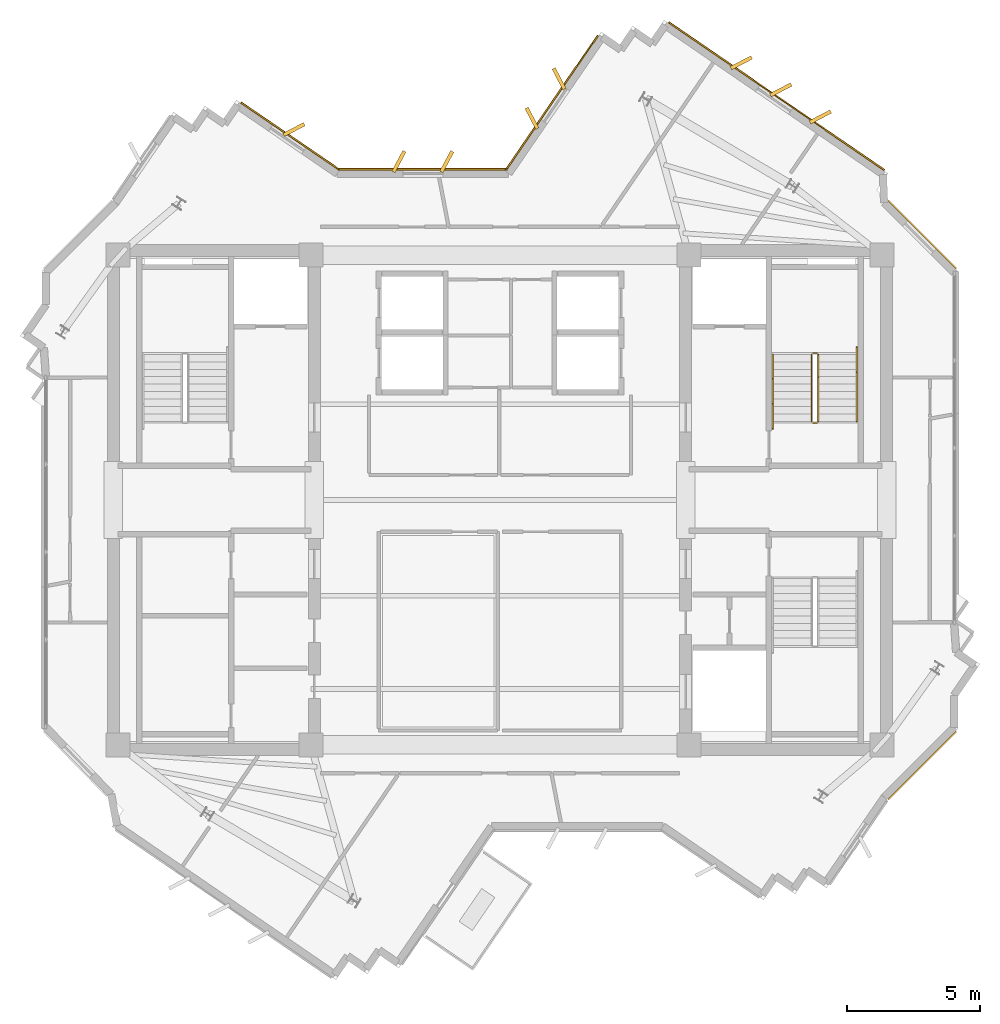
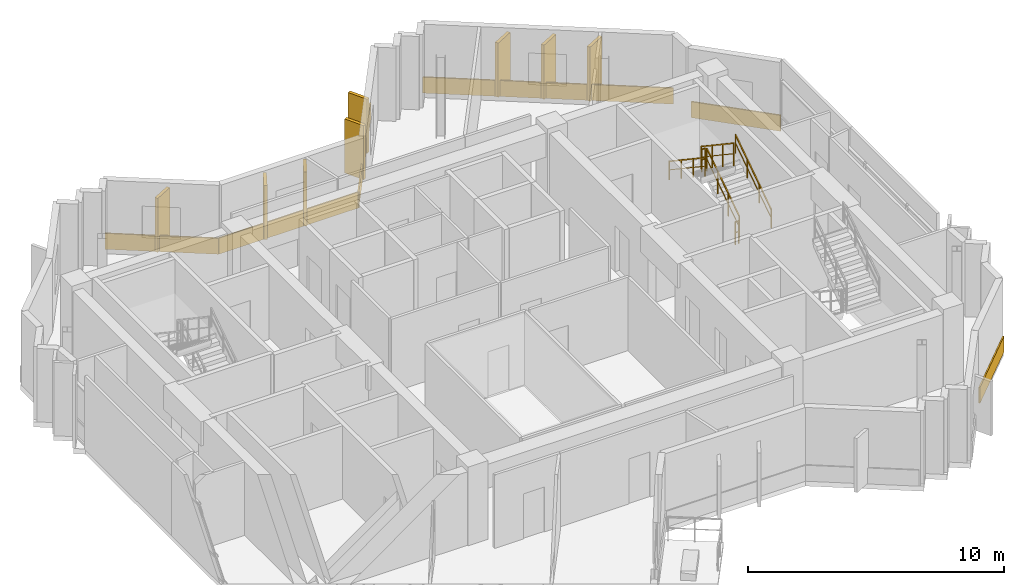
# One storey, part 11 of 11: 14 coverings, 6 railings.
"""IFC4 building model written with IfcOpenShell, lengths in metres."""

from ifc_helpers import new_model, si_unit, direction, frame, origin, origin_2d, place, context, subcontext, project, spatial, rectangle, extrude, source, transform, mapped, material, layer, layer_set, type_object, element, save


model = new_model("IFC4")

# Units and contexts
model_context = context("Model", 3, precision=1e-05, world=origin(), true_north=direction((0.0, 1.0)))
body_context = subcontext(model_context, "Body", "Model", "MODEL_VIEW")
ifc_project = project(units=[si_unit("LENGTHUNIT", "METRE"), si_unit("AREAUNIT", "SQUARE_METRE"), si_unit("VOLUMEUNIT", "CUBIC_METRE"), si_unit("PLANEANGLEUNIT", "RADIAN"), si_unit("MASSUNIT", "GRAM", prefix="KILO")], contexts=[model_context])

# Site, building, storey
site_placement = place(None, origin())
site = spatial("IfcSite", under=ifc_project, at=site_placement, CompositionType="ELEMENT")
building_placement = place(site_placement, origin())
building = spatial("IfcBuilding", under=site, at=building_placement, Name="Zahravan Cultural Tower", CompositionType="ELEMENT")
storey_placement = place(building_placement, frame((0.0, 0.0, 338.550048828125)))
storey = spatial("IfcBuildingStorey", under=building, at=storey_placement, Name="L82", CompositionType="ELEMENT", Elevation=338.550048828125)

# Railings
ifc_material_1 = material(Name="Steel ASTM A572 Grade 50", Category="steel")
railing_type_1 = type_object("IfcRailingType", Name="RL-STAIR-GRD1150", PredefinedType="BALUSTRADE", material=ifc_material_1)
railing_1_placement = place(storey_placement, frame((47.949951171875, 29.949951171875, 0.1875)))
element("IfcRailing", 1, at=railing_1_placement, inside=storey, type_object=railing_type_1, Name="L82 ST-E1 stair guard 1", PredefinedType="BALUSTRADE", context=body_context, shape_type="SweptSolid", body=[
    extrude(rectangle(XDim=0.05, YDim=0.05, at=origin_2d()), frame((0.0, 0.0, 1.0751953125), z_axis=(0.0, 0.830909170722, 0.55640807867), x_axis=(-1.0, 0.0, 0.0)), (0.0, 0.0, 1.0), 3.032958984375),
    extrude(rectangle(XDim=0.032, YDim=0.032, at=origin_2d()), frame((0.0, 0.0, 0.572021484375), z_axis=(0.0, 0.830909170722, 0.55640807867), x_axis=(-1.0, 0.0, 0.0)), (0.0, 0.0, 1.0), 3.032958984375),
    extrude(rectangle(XDim=0.04, YDim=0.04, at=origin_2d()), origin(), (0.0, 0.0, 1.0), 1.10009765625),
    extrude(rectangle(XDim=0.04, YDim=0.04, at=origin_2d()), frame((0.0, 0.840087890625, 0.5625)), (0.0, 0.0, 1.0), 1.10009765625),
    extrude(rectangle(XDim=0.04, YDim=0.04, at=origin_2d()), frame((0.0, 1.679931640625, 1.125)), (0.0, 0.0, 1.0), 1.10009765625),
    extrude(rectangle(XDim=0.04, YDim=0.04, at=origin_2d()), frame((0.0, 2.52001953125, 1.6875)), (0.0, 0.0, 1.0), 1.10009765625),
])
railing_2_placement = place(storey_placement, frame((47.89990234375, 32.52001953125, 1.875)))
element("IfcRailing", 2, at=railing_2_placement, inside=storey, type_object=railing_type_1, Name="L82 ST-E1 stair guard 2", PredefinedType="BALUSTRADE", context=body_context, shape_type="SweptSolid", body=[
    extrude(rectangle(XDim=0.05, YDim=0.05, at=origin_2d()), frame((0.0, 0.0, 1.0751953125), z_axis=(-1.0, 0.0, 0.0), x_axis=(0.0, -1.0, 0.0)), (0.0, 0.0, 1.0), 0.14990234375),
    extrude(rectangle(XDim=0.032, YDim=0.032, at=origin_2d()), frame((0.0, 0.0, 0.572021484375), z_axis=(-1.0, 0.0, 0.0), x_axis=(0.0, -1.0, 0.0)), (0.0, 0.0, 1.0), 0.14990234375),
    extrude(rectangle(XDim=0.04, YDim=0.04, at=origin_2d()), origin(), (0.0, 0.0, 1.0), 1.10009765625),
    extrude(rectangle(XDim=0.04, YDim=0.04, at=origin_2d()), frame((-0.14990234375, 0.0, 0.0)), (0.0, 0.0, 1.0), 1.10009765625),
])
railing_3_placement = place(storey_placement, frame((47.699951171875, 32.469970703125, 2.0625)))
element("IfcRailing", 3, at=railing_3_placement, inside=storey, type_object=railing_type_1, Name="L82 ST-E1 stair guard 3", PredefinedType="BALUSTRADE", context=body_context, shape_type="SweptSolid", body=[
    extrude(rectangle(XDim=0.05, YDim=0.05, at=origin_2d()), frame((0.0, 0.0, 1.0751953125), z_axis=(0.0, -0.830909170722, 0.55640807867), x_axis=(1.0, 0.0, 0.0)), (0.0, 0.0, 1.0), 3.032958984375),
    extrude(rectangle(XDim=0.032, YDim=0.032, at=origin_2d()), frame((0.0, 0.0, 0.572021484375), z_axis=(0.0, -0.830909170722, 0.55640807867), x_axis=(1.0, 0.0, 0.0)), (0.0, 0.0, 1.0), 3.032958984375),
    extrude(rectangle(XDim=0.04, YDim=0.04, at=origin_2d()), origin(), (0.0, 0.0, 1.0), 1.10009765625),
    extrude(rectangle(XDim=0.04, YDim=0.04, at=origin_2d()), frame((0.0, -0.840087890625, 0.5625)), (0.0, 0.0, 1.0), 1.10009765625),
    extrude(rectangle(XDim=0.04, YDim=0.04, at=origin_2d()), frame((0.0, -1.679931640625, 1.125)), (0.0, 0.0, 1.0), 1.10009765625),
    extrude(rectangle(XDim=0.04, YDim=0.04, at=origin_2d()), frame((0.0, -2.52001953125, 1.6875)), (0.0, 0.0, 1.0), 1.10009765625),
])
railing_4_placement = place(storey_placement, frame((47.89990234375, 29.89990234375, 0.0)))
element("IfcRailing", 4, at=railing_4_placement, inside=storey, type_object=railing_type_1, Name="L82 ST-E1 stair guard 4", PredefinedType="BALUSTRADE", context=body_context, shape_type="SweptSolid", body=[
    extrude(rectangle(XDim=0.05, YDim=0.05, at=origin_2d()), frame((0.0, 0.0, 1.0751953125), z_axis=(-1.0, 0.0, 0.0), x_axis=(0.0, -1.0, 0.0)), (0.0, 0.0, 1.0), 0.14990234375),
    extrude(rectangle(XDim=0.032, YDim=0.032, at=origin_2d()), frame((0.0, 0.0, 0.572021484375), z_axis=(-1.0, 0.0, 0.0), x_axis=(0.0, -1.0, 0.0)), (0.0, 0.0, 1.0), 0.14990234375),
    extrude(rectangle(XDim=0.04, YDim=0.04, at=origin_2d()), origin(), (0.0, 0.0, 1.0), 1.10009765625),
    extrude(rectangle(XDim=0.04, YDim=0.04, at=origin_2d()), frame((-0.14990234375, 0.0, 0.0)), (0.0, 0.0, 1.0), 1.10009765625),
])
railing_type_2 = type_object("IfcRailingType", Name="RL-STAIR-HR900", PredefinedType="HANDRAIL", material=ifc_material_1)
railing_5_placement = place(storey_placement, frame((49.39990234375, 29.949951171875, 0.1875)))
element("IfcRailing", 5, at=railing_5_placement, inside=storey, type_object=railing_type_2, Name="L82 ST-E1 stair handrail 1", PredefinedType="HANDRAIL", context=body_context, shape_type="SweptSolid", body=[
    extrude(rectangle(XDim=0.05, YDim=0.05, at=origin_2d()), frame((0.0, 0.0, 0.875), z_axis=(0.0, 0.830911662861, 0.55640435703), x_axis=(-1.0, 0.0, 0.0)), (0.0, 0.0, 1.0), 3.369873046875),
    extrude(rectangle(XDim=0.032, YDim=0.032, at=origin_2d()), frame((0.0, 0.0, 0.468017578125), z_axis=(0.0, 0.830911662861, 0.55640435703), x_axis=(-1.0, 0.0, 0.0)), (0.0, 0.0, 1.0), 3.369873046875),
    extrude(rectangle(XDim=0.04, YDim=0.04, at=origin_2d()), origin(), (0.0, 0.0, 1.0), 0.89990234375),
    extrude(rectangle(XDim=0.04, YDim=0.04, at=origin_2d()), frame((0.0, 0.933349609375, 0.625)), (0.0, 0.0, 1.0), 0.89990234375),
    extrude(rectangle(XDim=0.04, YDim=0.04, at=origin_2d()), frame((0.0, 1.86669921875, 1.25)), (0.0, 0.0, 1.0), 0.89990234375),
    extrude(rectangle(XDim=0.04, YDim=0.04, at=origin_2d()), frame((0.0, 2.800048828125, 1.875)), (0.0, 0.0, 1.0), 0.89990234375),
])
railing_6_placement = place(storey_placement, frame((46.25, 32.469970703125, 2.0625)))
element("IfcRailing", 6, at=railing_6_placement, inside=storey, type_object=railing_type_2, Name="L82 ST-E1 stair handrail 2", PredefinedType="HANDRAIL", context=body_context, shape_type="SweptSolid", body=[
    extrude(rectangle(XDim=0.05, YDim=0.05, at=origin_2d()), frame((0.0, 0.0, 0.875), z_axis=(0.0, -0.830911662861, 0.55640435703), x_axis=(1.0, 0.0, 0.0)), (0.0, 0.0, 1.0), 3.369873046875),
    extrude(rectangle(XDim=0.032, YDim=0.032, at=origin_2d()), frame((0.0, 0.0, 0.468017578125), z_axis=(0.0, -0.830911662861, 0.55640435703), x_axis=(1.0, 0.0, 0.0)), (0.0, 0.0, 1.0), 3.369873046875),
    extrude(rectangle(XDim=0.04, YDim=0.04, at=origin_2d()), origin(), (0.0, 0.0, 1.0), 0.89990234375),
    extrude(rectangle(XDim=0.04, YDim=0.04, at=origin_2d()), frame((0.0, -0.933349609375, 0.625)), (0.0, 0.0, 1.0), 0.89990234375),
    extrude(rectangle(XDim=0.04, YDim=0.04, at=origin_2d()), frame((0.0, -1.86669921875, 1.25)), (0.0, 0.0, 1.0), 0.89990234375),
    extrude(rectangle(XDim=0.04, YDim=0.04, at=origin_2d()), frame((0.0, -2.800048828125, 1.875)), (0.0, 0.0, 1.0), 0.89990234375),
])

# Coverings
ifc_material_2 = material(Name="Terracotta ceramic cladding", Category="masonry")
ifc_layer = layer(ifc_material_2, 0.06005859375)
ifc_layer_set = layer_set([ifc_layer], Name="Terracotta ceramic cladding")
covering_type = type_object("IfcCoveringType", Name="COV-CLAD-TC60", PredefinedType="CLADDING", material=ifc_layer_set)
shared_shape_1 = source(origin(), body_context, "Body", "SweptSolid", [
    extrude(rectangle(XDim=9.820068359375, YDim=0.06005859375, at=origin_2d()), origin(), (0.0, 0.0, 1.0), 0.760009765625),
])
covering_1_placement = place(storey_placement, frame((46.386962890625, 42.169677734375, 0.02001953125), z_axis=(0.0, 0.0, 1.0), x_axis=(0.825123358687, -0.564952602392, 0.0)))
element("IfcCovering", 7, at=covering_1_placement, inside=storey, type_object=covering_type, Name="L82 Terracotta Spandrel Cladding 19", PredefinedType="CLADDING", context=body_context, shape_type="MappedRepresentation", body=[
    mapped(shared_shape_1, transform((0.0, 0.0, 0.0), x_axis=(1.0, 0.0, 0.0), y_axis=(0.0, 1.0, 0.0), z_axis=(0.0, 0.0, 1.0), scale=1.0)),
])
shared_shape_2 = source(origin(), body_context, "Body", "SweptSolid", [
    extrude(rectangle(XDim=0.8798828125, YDim=0.139892578125, at=origin_2d()), origin(), (0.0, 0.0, 1.0), 2.580078125),
])
for number, where, z_axis, x_axis, name in (
    (8, (28.26171875, 40.91552734375, 0.0498046875), (0.0, 0.0, 1.0), (0.886203579231, 0.46329603512, 0.0), "L82 Herringbone Terracotta Fin 02"),
    (9, (32.202880859375, 39.7099609375, 0.0498046875), (0.0, 0.0, 1.0), (0.469471562786, 0.882947592859, 0.0), "L82 Herringbone Terracotta Fin 03"),
    (10, (34.0029296875, 39.7099609375, 0.0498046875), (0.0, 0.0, 1.0), (0.469471562786, 0.882947592859, 0.0), "L82 Herringbone Terracotta Fin 04"),
    (11, (37.20068359375, 41.33837890625, 0.0498046875), (0.0, 0.0, 1.0), (-0.46329603512, 0.886203579231, 0.0), "L82 Herringbone Terracotta Fin 05"),
    (12, (38.2177734375, 42.823486328125, 0.0498046875), (0.0, 0.0, 1.0), (-0.46329603512, 0.886203579231, 0.0), "L82 Herringbone Terracotta Fin 06"),
    (13, (45.062744140625, 43.421875, 0.0498046875), (0.0, 0.0, 1.0), (0.886195493055, 0.46331150222, 0.0), "L82 Herringbone Terracotta Fin 07"),
    (14, (46.5478515625, 42.40478515625, 0.0498046875), (0.0, 0.0, 1.0), (0.886195493055, 0.46331150222, 0.0), "L82 Herringbone Terracotta Fin 08"),
    (15, (48.033203125, 41.387939453125, 0.0498046875), (0.0, 0.0, 1.0), (0.886195493055, 0.46331150222, 0.0), "L82 Herringbone Terracotta Fin 09"),
):
    element("IfcCovering", number, at=place(storey_placement, frame(where, z_axis=z_axis, x_axis=x_axis)), inside=storey, type_object=covering_type, Name=name, PredefinedType="CLADDING", context=body_context, shape_type="MappedRepresentation", body=[
        mapped(shared_shape_2, transform((0.0, 0.0, 0.0), x_axis=(1.0, 0.0, 0.0), y_axis=(0.0, 1.0, 0.0), z_axis=(0.0, 0.0, 1.0), scale=1.0)),
    ])
shared_shape_3 = source(origin(), body_context, "Body", "SweptSolid", [
    extrude(rectangle(XDim=3.609619140625, YDim=0.06005859375, at=origin_2d()), origin(), (0.0, 0.0, 1.0), 0.760009765625),
])
covering_2_placement = place(storey_placement, frame((51.865234375, 17.02978515625, 0.02001953125), z_axis=(0.0, 0.0, 1.0), x_axis=(-0.707106781187, -0.707106781187, 0.0)))
element("IfcCovering", 16, at=covering_2_placement, inside=storey, type_object=covering_type, Name="L82 Terracotta Spandrel Cladding 26", PredefinedType="CLADDING", context=body_context, shape_type="MappedRepresentation", body=[
    mapped(shared_shape_3, transform((0.0, 0.0, 0.0), x_axis=(1.0, 0.0, 0.0), y_axis=(0.0, 1.0, 0.0), z_axis=(0.0, 0.0, 1.0), scale=1.0)),
])
shared_shape_4 = source(origin(), body_context, "Body", "SweptSolid", [
    extrude(rectangle(XDim=4.4462890625, YDim=0.06005859375, at=origin_2d()), origin(), (0.0, 0.0, 1.0), 0.760009765625),
])
covering_3_placement = place(storey_placement, frame((28.1005859375, 40.680419921875, 0.02001953125), z_axis=(0.0, 0.0, 1.0), x_axis=(0.825113498278, -0.564967003425, 0.0)))
element("IfcCovering", 17, at=covering_3_placement, inside=storey, type_object=covering_type, Name="L82 Terracotta Spandrel Cladding 12", PredefinedType="CLADDING", context=body_context, shape_type="MappedRepresentation", body=[
    mapped(shared_shape_4, transform((0.0, 0.0, 0.0), x_axis=(1.0, 0.0, 0.0), y_axis=(0.0, 1.0, 0.0), z_axis=(0.0, 0.0, 1.0), scale=1.0)),
])
shared_shape_5 = source(origin(), body_context, "Body", "SweptSolid", [
    extrude(rectangle(XDim=6.340087890625, YDim=0.06005859375, at=origin_2d()), origin(), (0.0, 0.0, 1.0), 0.760009765625),
])
covering_4_placement = place(storey_placement, frame((33.10302734375, 39.425048828125, 0.02001953125), z_axis=(0.0, 0.0, 1.0), x_axis=(1.0, 0.0, 0.0)))
element("IfcCovering", 18, at=covering_4_placement, inside=storey, type_object=covering_type, Name="L82 Terracotta Spandrel Cladding 13", PredefinedType="CLADDING", context=body_context, shape_type="MappedRepresentation", body=[
    mapped(shared_shape_5, transform((0.0, 0.0, 0.0), x_axis=(1.0, 0.0, 0.0), y_axis=(0.0, 1.0, 0.0), z_axis=(0.0, 0.0, 1.0), scale=1.0)),
])
shared_shape_6 = source(origin(), body_context, "Body", "SweptSolid", [
    extrude(rectangle(XDim=6.12158203125, YDim=0.06005859375, at=origin_2d()), origin(), (0.0, 0.0, 1.0), 0.760009765625),
])
covering_5_placement = place(storey_placement, frame((37.9443359375, 41.919921875, 0.02001953125), z_axis=(0.0, 0.0, 1.0), x_axis=(0.564967003425, 0.825113498278, 0.0)))
element("IfcCovering", 19, at=covering_5_placement, inside=storey, type_object=covering_type, Name="L82 Terracotta Spandrel Cladding 14", PredefinedType="CLADDING", context=body_context, shape_type="MappedRepresentation", body=[
    mapped(shared_shape_6, transform((0.0, 0.0, 0.0), x_axis=(1.0, 0.0, 0.0), y_axis=(0.0, 1.0, 0.0), z_axis=(0.0, 0.0, 1.0), scale=1.0)),
])
shared_shape_7 = source(origin(), body_context, "Body", "SweptSolid", [
    extrude(rectangle(XDim=3.615966796875, YDim=0.06005859375, at=origin_2d()), origin(), (0.0, 0.0, 1.0), 0.760009765625),
])
covering_6_placement = place(storey_placement, frame((51.86279296875, 36.972412109375, 0.02001953125), z_axis=(0.0, 0.0, 1.0), x_axis=(0.707106781187, -0.707106781187, 0.0)))
element("IfcCovering", 20, at=covering_6_placement, inside=storey, type_object=covering_type, Name="L82 Terracotta Spandrel Cladding 21", PredefinedType="CLADDING", context=body_context, shape_type="MappedRepresentation", body=[
    mapped(shared_shape_7, transform((0.0, 0.0, 0.0), x_axis=(1.0, 0.0, 0.0), y_axis=(0.0, 1.0, 0.0), z_axis=(0.0, 0.0, 1.0), scale=1.0)),
])

save(model, "model.ifc")
